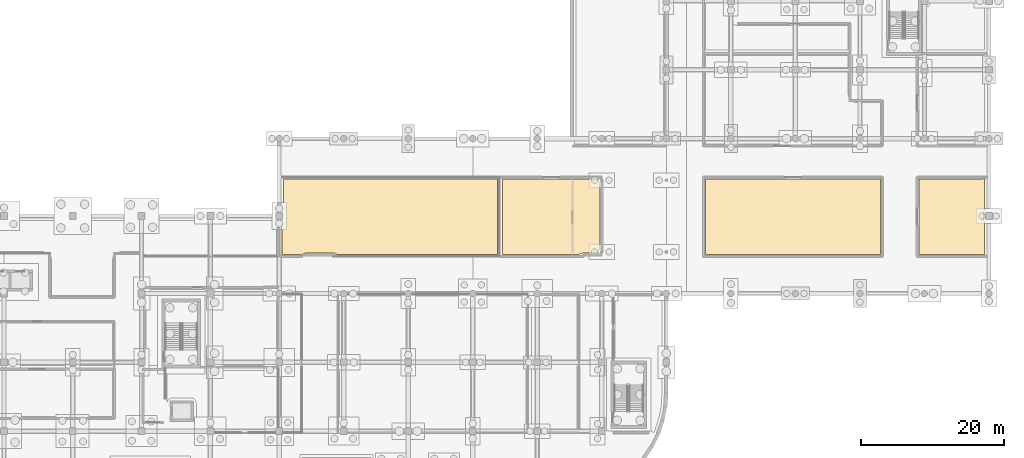
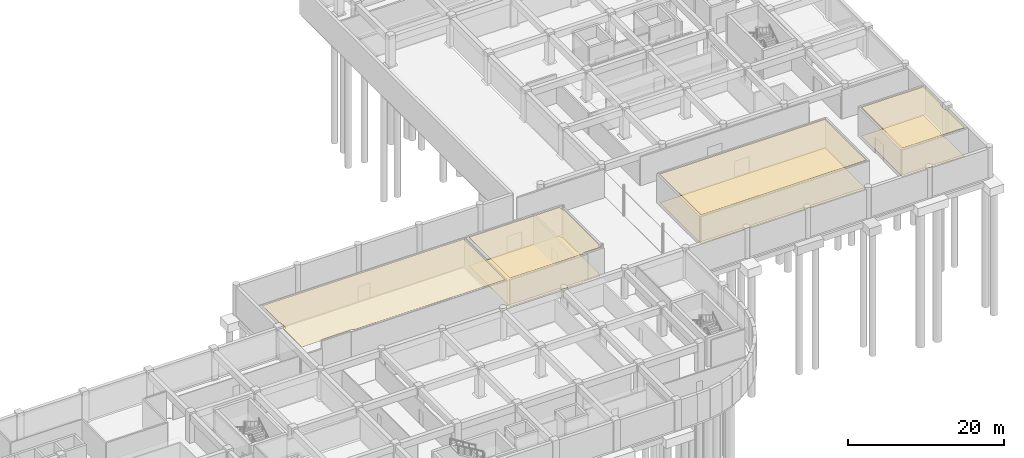
# One storey, part 37 of 47: 7 coverings.
"""IFC4 building model written with IfcOpenShell, lengths in metres."""

import ifcopenshell
import ifcopenshell.guid

model = None  # the IFC model being written
_history = None  # IfcOwnerHistory: only IFC2X3 demands one
_inside = {}  # id of a spatial element -> (the spatial element, [elements in it])
_under = {}  # id of a project, library or spatial element -> (it, [spatial elements below it])
_declared = {}  # id of a project -> (the project, [libraries it declares])
_typed = {}  # id of a type object -> (the type object, [elements of that type])
_made_of = {}  # id of a material, layer set ... -> (it, [elements and type objects made of it])


def new_model(schema):
    """Start an empty IFC model of exactly this schema.

    Asked for "IFC4X3", IfcOpenShell would pick the latest addendum, in which some entities
    have other attributes; the version numbers below select the first issue.
    IFC2X3 requires an IfcOwnerHistory on every rooted entity: one is made here for all.
    """
    global model, _history
    if schema == "IFC4X3":
        model = ifcopenshell.file(schema_version=(4, 3, 0, 0))
    else:
        model = ifcopenshell.file(schema=schema)
    _inside.clear()
    _under.clear()
    _declared.clear()
    _typed.clear()
    _made_of.clear()
    _history = None
    if model.schema == "IFC2X3":
        org = make("IfcOrganization", Name="unknown")
        user = make(
            "IfcPersonAndOrganization",
            ThePerson=make("IfcPerson", FamilyName="unknown"),
            TheOrganization=org,
        )
        app = make(
            "IfcApplication",
            ApplicationDeveloper=org,
            Version="unknown",
            ApplicationFullName="unknown",
            ApplicationIdentifier="unknown",
        )
        _history = make(
            "IfcOwnerHistory",
            OwningUser=user,
            OwningApplication=app,
            ChangeAction="ADDED",
            CreationDate=0,
        )
    return model


def make(cls, **values):
    """One entity of the class cls with the attributes given. An attribute that is None is left unset."""
    return model.create_entity(
        cls, **{name: value for name, value in values.items() if value is not None}
    )


def rooted(cls, **values):
    """An entity with a GlobalId (a new one), such as an element, a storey or a relation."""
    return make(cls, GlobalId=ifcopenshell.guid.new(), OwnerHistory=_history, **values)


def si_unit(unit_type, name, prefix=None):
    """IfcSIUnit, for example si_unit("LENGTHUNIT", "METRE", prefix="MILLI")."""
    return make("IfcSIUnit", UnitType=unit_type, Prefix=prefix, Name=name)


def assignment(units):
    """IfcUnitAssignment: the units of a project."""
    return None if units is None else make("IfcUnitAssignment", Units=units)


def point(xyz):
    """IfcCartesianPoint."""
    return None if xyz is None else make("IfcCartesianPoint", Coordinates=xyz)


def direction(xyz):
    """IfcDirection."""
    return None if xyz is None else make("IfcDirection", DirectionRatios=xyz)


def frame(location, z_axis=None, x_axis=None):
    """IfcAxis2Placement3D, a coordinate frame: its origin and axes. An axis left out is left unset."""
    return make(
        "IfcAxis2Placement3D",
        Location=point(location),
        Axis=direction(z_axis),
        RefDirection=direction(x_axis),
    )


def origin():
    """The frame at (0, 0, 0) with its axes left unset."""
    return frame((0.0, 0.0, 0.0))


def place(relative_to, where):
    """IfcLocalPlacement: puts the frame where relative to a parent placement (None: the world)."""
    return make(
        "IfcLocalPlacement", PlacementRelTo=relative_to, RelativePlacement=where
    )


def context(
    kind, dimensions, precision=None, world=None, true_north=None, identifier=None
):
    """IfcGeometricRepresentationContext, for example the 3D "Model" context."""
    return make(
        "IfcGeometricRepresentationContext",
        ContextIdentifier=identifier,
        ContextType=kind,
        CoordinateSpaceDimension=dimensions,
        Precision=precision,
        WorldCoordinateSystem=world,
        TrueNorth=true_north,
    )


def subcontext(parent, identifier, kind, view, scale=None):
    """IfcGeometricRepresentationSubContext, for example "Body" below "Model"."""
    return make(
        "IfcGeometricRepresentationSubContext",
        ContextIdentifier=identifier,
        ContextType=kind,
        ParentContext=parent,
        TargetScale=scale,
        TargetView=view,
    )


def project(units=None, contexts=None):
    """IfcProject with its units and contexts."""
    return rooted(
        "IfcProject",
        Name="project",
        RepresentationContexts=contexts,
        UnitsInContext=assignment(units),
    )


def spatial(cls, under=None, at=None, **own):
    """A site, building, storey or space (cls), placed at a placement, below another one or the project."""
    s = rooted(cls, ObjectPlacement=at, **own)
    if under is not None:
        _under.setdefault(under.id(), (under, []))[1].append(s)
    return s


def polyline(points):
    """IfcPolyline through the points."""
    return make("IfcPolyline", Points=[point(p) for p in points])


def outline(outer, holes=None, kind="AREA"):
    """IfcArbitraryClosedProfileDef: a profile drawn as a closed curve; with holes, ...WithVoids."""
    if holes is None:
        return make("IfcArbitraryClosedProfileDef", ProfileType=kind, OuterCurve=outer)
    return make(
        "IfcArbitraryProfileDefWithVoids",
        ProfileType=kind,
        OuterCurve=outer,
        InnerCurves=holes,
    )


def extrude(swept, where, along, depth):
    """IfcExtrudedAreaSolid: the profile swept, set in the frame where, extruded along a direction by depth."""
    return make(
        "IfcExtrudedAreaSolid",
        SweptArea=swept,
        Position=where,
        ExtrudedDirection=direction(along),
        Depth=depth,
    )


def shape(context_of_items, identifier, shape_type, items):
    """IfcShapeRepresentation: the items that make up one representation, for example the "Body"."""
    return make(
        "IfcShapeRepresentation",
        ContextOfItems=context_of_items,
        RepresentationIdentifier=identifier,
        RepresentationType=shape_type,
        Items=items,
    )


def material(Name=None, Category=None):
    """IfcMaterial."""
    return make("IfcMaterial", Name=Name, Category=Category)


def layer(
    of_material, thickness, ventilated=None, Name=None, Category=None, Priority=None
):
    """IfcMaterialLayer: one layer of a wall or slab, of a material (None: an air gap)."""
    return make(
        "IfcMaterialLayer",
        Material=of_material,
        LayerThickness=thickness,
        IsVentilated=ventilated,
        Name=Name,
        Category=Category,
        Priority=Priority,
    )


def layer_set(layers, Name=None):
    """IfcMaterialLayerSet."""
    return make("IfcMaterialLayerSet", MaterialLayers=layers, LayerSetName=Name)


def made_of(thing, what):
    """Note that an element or type object is made of a material, layer set ...; save() writes the relation."""
    if what is not None:
        _made_of.setdefault(what.id(), (what, []))[1].append(thing)
    return thing


def type_object(cls, material=None, **own):
    """A type object (cls), such as IfcWallType, which elements share."""
    return made_of(rooted(cls, **own), material)


def element(
    cls,
    number,
    at=None,
    inside=None,
    cuts=None,
    type_object=None,
    material=None,
    context=None,
    identifier="Body",
    shape_type=None,
    held_by="IfcProductDefinitionShape",
    body=None,
    shapes=None,
    **own,
):
    """One element of the class cls, such as IfcWall. Its Tag is "e" and its number.

    at: its placement. inside: the storey or other place that contains it. cuts: it is an
    opening in that element (IfcRelVoidsElement). A single representation is given by context,
    identifier, shape_type and body (its items); several are given by shapes. held_by: the class
    of the entity that holds the representations. save() writes the other relations.
    """
    e = rooted(cls, Tag="e%d" % number, ObjectPlacement=at, **own)
    if body is not None:
        shapes = [shape(context, identifier, shape_type, body)]
    if shapes is not None:
        e.Representation = make(held_by, Representations=shapes)
    if inside is not None:
        _inside.setdefault(inside.id(), (inside, []))[1].append(e)
    if cuts is not None:
        rooted(
            "IfcRelVoidsElement", RelatingBuildingElement=cuts, RelatedOpeningElement=e
        )
    if type_object is not None:
        _typed.setdefault(type_object.id(), (type_object, []))[1].append(e)
    return made_of(e, material)


def aggregate(whole, parts):
    """IfcRelAggregates: a whole, such as a stair, and the parts it consists of."""
    return rooted("IfcRelAggregates", RelatingObject=whole, RelatedObjects=parts)


def save(model, path):
    """Write the relations noted so far, then the file.

    IfcRelAggregates (storeys below a building ...), IfcRelContainedInSpatialStructure (elements
    in a storey), IfcRelDefinesByType, IfcRelAssociatesMaterial and IfcRelDeclares: one each for
    every whole, place, type object, material and project.
    """
    for whole, parts in _under.values():
        aggregate(whole, parts)
    for where, things in _inside.values():
        rooted(
            "IfcRelContainedInSpatialStructure",
            RelatedElements=things,
            RelatingStructure=where,
        )
    for kind, things in _typed.values():
        rooted("IfcRelDefinesByType", RelatedObjects=things, RelatingType=kind)
    for what, things in _made_of.values():
        rooted("IfcRelAssociatesMaterial", RelatedObjects=things, RelatingMaterial=what)
    for by, libraries in _declared.values():
        rooted("IfcRelDeclares", RelatingContext=by, RelatedDefinitions=libraries)
    model.write(path)


model = new_model("IFC4")

# Units and contexts
model_context = context("Model", 3, precision=1e-05, world=origin(), true_north=direction((0.0, 1.0)))
body_context = subcontext(model_context, "Body", "Model", "MODEL_VIEW")
ifc_project = project(units=[si_unit("LENGTHUNIT", "METRE"), si_unit("AREAUNIT", "SQUARE_METRE"), si_unit("VOLUMEUNIT", "CUBIC_METRE"), si_unit("PLANEANGLEUNIT", "RADIAN"), si_unit("MASSUNIT", "GRAM", prefix="KILO")], contexts=[model_context])

# Site, building, storey
site_placement = place(None, origin())
site = spatial("IfcSite", under=ifc_project, at=site_placement, CompositionType="ELEMENT")
building_placement = place(site_placement, origin())
building = spatial("IfcBuilding", under=site, at=building_placement, Name="Cendralis Terraced Arcade", CompositionType="ELEMENT")
storey_placement = place(building_placement, frame((0.0, 0.0, -4.800048828125)))
storey = spatial("IfcBuildingStorey", under=building, at=storey_placement, Name="B1", CompositionType="ELEMENT", Elevation=-4.800048828125)

# Coverings
ifc_material_1 = material(Name="Gypsum plasterboard acoustic partition")
ifc_layer_1 = layer(ifc_material_1, 0.02490234375, Name="COV-CEIL-ACOU-25")
ifc_layer_set_1 = layer_set([ifc_layer_1], Name="Gypsum plasterboard acoustic partition")
covering_type_1 = type_object("IfcCoveringType", Name="COV-CEIL-ACOU-25", PredefinedType="CEILING", material=ifc_layer_set_1)
covering_1_placement = place(storey_placement, frame((0.0, 0.0, 4.47509765625)))
element("IfcCovering", 1, at=covering_1_placement, inside=storey, type_object=covering_type_1, Name="Acoustic Soffit Ceiling B1-010", PredefinedType="CEILING", context=body_context, shape_type="SweptSolid", body=[
    extrude(outline(polyline([(98.3701171875, 43.830078125), (98.3701171875, 54.3701171875), (111.7919921875, 54.3701171875), (111.790283203125, 54.354248046875), (111.790283203125, 54.352294921875), (111.7900390625, 54.340087890625), (111.7900390625, 54.06005859375), (111.790283203125, 54.047607421875), (111.790283203125, 54.0458984375), (111.792724609375, 54.021484375), (111.793212890625, 54.019287109375), (111.7978515625, 53.995361328125), (111.79833984375, 53.993408203125), (111.805419921875, 53.969970703125), (111.80615234375, 53.968017578125), (111.8154296875, 53.945556640625), (111.81640625, 53.943603515625), (111.827880859375, 53.922119140625), (111.828857421875, 53.92041015625), (111.842529296875, 53.89990234375), (111.84375, 53.8984375), (111.859375, 53.87939453125), (111.860595703125, 53.8779296875), (111.8779296875, 53.860595703125), (111.87939453125, 53.859375), (111.8984375, 53.84375), (111.89990234375, 53.842529296875), (111.92041015625, 53.828857421875), (111.922119140625, 53.827880859375), (111.943603515625, 53.81640625), (111.945556640625, 53.8154296875), (111.968017578125, 53.80615234375), (111.969970703125, 53.805419921875), (111.969970703125, 53.805419921875), (111.969970703125, 44.594482421875), (111.969970703125, 44.594482421875), (111.968017578125, 44.593994140625), (111.945556640625, 44.58447265625), (111.943603515625, 44.58349609375), (111.922119140625, 44.572021484375), (111.92041015625, 44.571044921875), (111.89990234375, 44.557373046875), (111.8984375, 44.556396484375), (111.87939453125, 44.540771484375), (111.8779296875, 44.539306640625), (111.860595703125, 44.52197265625), (111.859375, 44.5205078125), (111.84375, 44.501708984375), (111.842529296875, 44.5), (111.828857421875, 44.4794921875), (111.827880859375, 44.47802734375), (111.81640625, 44.456298828125), (111.8154296875, 44.45458984375), (111.80615234375, 44.431884765625), (111.805419921875, 44.429931640625), (111.79833984375, 44.406494140625), (111.7978515625, 44.404541015625), (111.793212890625, 44.380615234375), (111.792724609375, 44.378662109375), (111.790283203125, 44.354248046875), (111.790283203125, 44.352294921875), (111.7900390625, 44.340087890625), (111.7900390625, 44.06005859375), (111.790283203125, 44.047607421875), (111.790283203125, 44.0458984375), (111.7919921875, 44.030029296875), (109.6806640625, 44.030029296875), (109.677490234375, 44.030029296875), (109.6748046875, 44.02978515625), (109.671630859375, 44.02978515625), (109.665771484375, 44.02978515625), (109.662841796875, 44.02978515625), (109.659912109375, 44.029541015625), (109.65673828125, 44.029296875), (109.5966796875, 44.026611328125), (109.590576171875, 44.026123046875), (109.584716796875, 44.025634765625), (109.57861328125, 44.025146484375), (109.567138671875, 44.024169921875), (109.56103515625, 44.0234375), (109.555419921875, 44.022705078125), (109.54931640625, 44.02197265625), (109.48974609375, 44.01318359375), (109.483642578125, 44.01220703125), (109.477783203125, 44.01123046875), (109.471923828125, 44.010009765625), (109.46044921875, 44.0078125), (109.45458984375, 44.006591796875), (109.448974609375, 44.00537109375), (109.443115234375, 44.00390625), (109.384521484375, 43.989501953125), (109.378662109375, 43.98779296875), (109.373046875, 43.986328125), (109.3671875, 43.984619140625), (109.35595703125, 43.981201171875), (109.35009765625, 43.9794921875), (109.344482421875, 43.977783203125), (109.3388671875, 43.975830078125), (109.281982421875, 43.955810546875), (109.2763671875, 43.95361328125), (109.27099609375, 43.951416015625), (109.265380859375, 43.94921875), (109.25439453125, 43.94482421875), (109.248779296875, 43.9423828125), (109.24365234375, 43.940185546875), (109.238037109375, 43.9375), (109.18359375, 43.912109375), (109.177978515625, 43.909423828125), (109.1728515625, 43.906982421875), (109.16748046875, 43.904052734375), (109.156982421875, 43.898681640625), (109.15185546875, 43.895751953125), (109.146728515625, 43.892822265625), (109.141357421875, 43.889892578125), (109.089599609375, 43.859130859375), (109.08447265625, 43.85595703125), (109.079345703125, 43.852783203125), (109.07421875, 43.849609375), (109.064697265625, 43.84326171875), (109.0595703125, 43.83984375), (109.0546875, 43.83642578125), (109.0498046875, 43.8330078125), (109.047119140625, 43.8310546875), (98.3701171875, 43.830078125)])), origin(), (0.0, 0.0, 1.0), 0.02490234375),
])
covering_2_placement = place(storey_placement, frame((0.0, 0.0, 4.47509765625)))
element("IfcCovering", 2, at=covering_2_placement, inside=storey, type_object=covering_type_1, Name="Acoustic Soffit Ceiling B1-016", PredefinedType="CEILING", context=body_context, shape_type="SweptSolid", body=[
    extrude(outline(polyline([(165.56689453125, 43.73583984375), (165.561279296875, 43.73828125), (165.555908203125, 43.74072265625), (165.55029296875, 43.7431640625), (165.539306640625, 43.74755859375), (165.53369140625, 43.75), (165.528076171875, 43.751953125), (165.522216796875, 43.754150390625), (165.465087890625, 43.774658203125), (165.459228515625, 43.776611328125), (165.45361328125, 43.778564453125), (165.44775390625, 43.780517578125), (165.4365234375, 43.78369140625), (165.4306640625, 43.785400390625), (165.425048828125, 43.787109375), (165.4189453125, 43.78857421875), (165.360107421875, 43.803466796875), (165.35400390625, 43.8046875), (165.348388671875, 43.80615234375), (165.34228515625, 43.807373046875), (165.330810546875, 43.809814453125), (165.32470703125, 43.810791015625), (165.31884765625, 43.811767578125), (165.31298828125, 43.812744140625), (165.252685546875, 43.82177734375), (165.24658203125, 43.822509765625), (165.24072265625, 43.8232421875), (165.234619140625, 43.823974609375), (165.222900390625, 43.8251953125), (165.216796875, 43.82568359375), (165.2109375, 43.825927734375), (165.204833984375, 43.826416015625), (165.14404296875, 43.829345703125), (165.14111328125, 43.82958984375), (165.137939453125, 43.82958984375), (165.135009765625, 43.82958984375), (165.129150390625, 43.829833984375), (165.1259765625, 43.829833984375), (165.123046875, 43.830078125), (165.1201171875, 43.830078125), (156.429931640625, 43.830078125), (156.429931640625, 54.3701171875), (165.1201171875, 54.3701171875), (165.123046875, 54.3701171875), (165.1259765625, 54.3701171875), (165.129150390625, 54.3701171875), (165.135009765625, 54.370361328125), (165.137939453125, 54.370361328125), (165.14111328125, 54.37060546875), (165.14404296875, 54.37060546875), (165.204833984375, 54.37353515625), (165.2109375, 54.3740234375), (165.216796875, 54.37451171875), (165.222900390625, 54.375), (165.234619140625, 54.376220703125), (165.24072265625, 54.376708984375), (165.24658203125, 54.37744140625), (165.252685546875, 54.37841796875), (165.31298828125, 54.38720703125), (165.31884765625, 54.38818359375), (165.32470703125, 54.38916015625), (165.330810546875, 54.390380859375), (165.34228515625, 54.392578125), (165.348388671875, 54.393798828125), (165.35400390625, 54.395263671875), (165.360107421875, 54.396484375), (165.4189453125, 54.411376953125), (165.425048828125, 54.412841796875), (165.4306640625, 54.41455078125), (165.4365234375, 54.416259765625), (165.44775390625, 54.419677734375), (165.45361328125, 54.42138671875), (165.459228515625, 54.42333984375), (165.465087890625, 54.42529296875), (165.522216796875, 54.44580078125), (165.528076171875, 54.447998046875), (165.53369140625, 54.4501953125), (165.539306640625, 54.452392578125), (165.55029296875, 54.456787109375), (165.555908203125, 54.459228515625), (165.561279296875, 54.461669921875), (165.56689453125, 54.464111328125), (165.610107421875, 54.484619140625), (165.610107421875, 49.919189453125), (165.608642578125, 49.918701171875), (165.5869140625, 49.906982421875), (165.58544921875, 49.906005859375), (165.56494140625, 49.892333984375), (165.5634765625, 49.891357421875), (165.54443359375, 49.875732421875), (165.54296875, 49.87451171875), (165.525634765625, 49.85693359375), (165.5244140625, 49.855712890625), (165.5087890625, 49.836669921875), (165.507568359375, 49.8349609375), (165.493896484375, 49.814697265625), (165.492919921875, 49.81298828125), (165.4814453125, 49.791259765625), (165.48046875, 49.78955078125), (165.47119140625, 49.766845703125), (165.470458984375, 49.764892578125), (165.46337890625, 49.74169921875), (165.462890625, 49.739501953125), (165.4580078125, 49.715576171875), (165.457763671875, 49.713623046875), (165.455322265625, 49.689208984375), (165.455322265625, 49.687255859375), (165.455078125, 49.675048828125), (165.455078125, 48.72509765625), (165.455322265625, 48.712646484375), (165.455322265625, 48.710693359375), (165.457763671875, 48.686279296875), (165.4580078125, 48.684326171875), (165.462890625, 48.660400390625), (165.46337890625, 48.658447265625), (165.470458984375, 48.635009765625), (165.47119140625, 48.633056640625), (165.48046875, 48.610595703125), (165.4814453125, 48.608642578125), (165.492919921875, 48.5869140625), (165.493896484375, 48.58544921875), (165.507568359375, 48.56494140625), (165.5087890625, 48.5634765625), (165.5244140625, 48.54443359375), (165.525634765625, 48.54296875), (165.54296875, 48.525634765625), (165.54443359375, 48.5244140625), (165.5634765625, 48.5087890625), (165.56494140625, 48.507568359375), (165.58544921875, 48.493896484375), (165.5869140625, 48.492919921875), (165.608642578125, 48.4814453125), (165.610107421875, 48.480712890625), (165.610107421875, 43.71533203125), (165.56689453125, 43.73583984375)])), origin(), (0.0, 0.0, 1.0), 0.02490234375),
])
ifc_material_2 = material(Name="Warm Andean oak timber", Category="wood")
ifc_layer_2 = layer(ifc_material_2, 0.034912109375, Name="COV-CEIL-OAK-35")
ifc_layer_set_2 = layer_set([ifc_layer_2], Name="Warm Andean oak timber")
covering_type_2 = type_object("IfcCoveringType", Name="COV-CEIL-OAK-35", PredefinedType="CEILING", material=ifc_layer_set_2)
covering_3_placement = place(storey_placement, frame((0.0, 0.0, 4.465087890625)))
element("IfcCovering", 3, at=covering_3_placement, inside=storey, type_object=covering_type_2, Name="Acoustic Soffit Ceiling B1-009", PredefinedType="CEILING", context=body_context, shape_type="SweptSolid", body=[
    extrude(outline(polyline([(67.7900390625, 54.399169921875), (67.800048828125, 54.396484375), (67.805908203125, 54.395263671875), (67.811767578125, 54.393798828125), (67.817626953125, 54.392578125), (67.829345703125, 54.390380859375), (67.835205078125, 54.38916015625), (67.841064453125, 54.38818359375), (67.84716796875, 54.38720703125), (67.9072265625, 54.37841796875), (67.913330078125, 54.37744140625), (67.919189453125, 54.376708984375), (67.92529296875, 54.376220703125), (67.93701171875, 54.375), (67.943115234375, 54.37451171875), (67.94921875, 54.3740234375), (67.955078125, 54.37353515625), (68.01611328125, 54.37060546875), (68.01904296875, 54.37060546875), (68.02197265625, 54.370361328125), (68.02490234375, 54.370361328125), (68.031005859375, 54.3701171875), (68.033935546875, 54.3701171875), (68.036865234375, 54.3701171875), (68.0400390625, 54.3701171875), (97.6298828125, 54.3701171875), (97.6298828125, 43.830078125), (75.3544921875, 43.830078125), (75.350830078125, 43.832763671875), (75.345947265625, 43.836181640625), (75.3408203125, 43.839599609375), (75.3310546875, 43.84619140625), (75.325927734375, 43.849365234375), (75.321044921875, 43.8525390625), (75.31591796875, 43.855712890625), (75.263671875, 43.88720703125), (75.25830078125, 43.89013671875), (75.253173828125, 43.89306640625), (75.247802734375, 43.89599609375), (75.2373046875, 43.901611328125), (75.23193359375, 43.904296875), (75.226806640625, 43.906982421875), (75.22119140625, 43.90966796875), (75.166259765625, 43.935791015625), (75.16064453125, 43.938232421875), (75.1552734375, 43.940673828125), (75.149658203125, 43.943115234375), (75.138671875, 43.947509765625), (75.133056640625, 43.949951171875), (75.12744140625, 43.951904296875), (75.12158203125, 43.9541015625), (75.064453125, 43.974609375), (75.05859375, 43.976806640625), (75.052978515625, 43.978515625), (75.047119140625, 43.98046875), (75.035888671875, 43.98388671875), (75.030029296875, 43.985595703125), (75.0244140625, 43.987060546875), (75.018310546875, 43.988525390625), (74.95947265625, 44.00341796875), (74.953369140625, 44.0048828125), (74.94775390625, 44.006103515625), (74.941650390625, 44.00732421875), (74.93017578125, 44.009765625), (74.924072265625, 44.0107421875), (74.918212890625, 44.01171875), (74.912109375, 44.0126953125), (74.85205078125, 44.021728515625), (74.845947265625, 44.0224609375), (74.840087890625, 44.023193359375), (74.833984375, 44.02392578125), (74.822265625, 44.025146484375), (74.816162109375, 44.025634765625), (74.810302734375, 44.02587890625), (74.80419921875, 44.0263671875), (74.743408203125, 44.029296875), (74.740478515625, 44.029541015625), (74.7373046875, 44.029541015625), (74.734375, 44.02978515625), (74.728515625, 44.02978515625), (74.725341796875, 44.02978515625), (74.722412109375, 44.030029296875), (74.719482421875, 44.030029296875), (70.980712890625, 44.030029296875), (70.9775390625, 44.030029296875), (70.974609375, 44.02978515625), (70.9716796875, 44.02978515625), (70.9658203125, 44.02978515625), (70.962890625, 44.02978515625), (70.959716796875, 44.029541015625), (70.956787109375, 44.029296875), (70.896484375, 44.026611328125), (70.890625, 44.026123046875), (70.884765625, 44.025634765625), (70.878662109375, 44.025146484375), (70.8671875, 44.024169921875), (70.861083984375, 44.0234375), (70.855224609375, 44.022705078125), (70.849365234375, 44.02197265625), (70.789794921875, 44.01318359375), (70.78369140625, 44.01220703125), (70.77783203125, 44.01123046875), (70.77197265625, 44.010009765625), (70.760498046875, 44.0078125), (70.754638671875, 44.006591796875), (70.748779296875, 44.00537109375), (70.742919921875, 44.00390625), (70.6845703125, 43.989501953125), (70.6787109375, 43.98779296875), (70.673095703125, 43.986328125), (70.667236328125, 43.984619140625), (70.656005859375, 43.981201171875), (70.650146484375, 43.9794921875), (70.64453125, 43.977783203125), (70.638916015625, 43.975830078125), (70.58203125, 43.955810546875), (70.576416015625, 43.95361328125), (70.571044921875, 43.951416015625), (70.565185546875, 43.94921875), (70.554443359375, 43.94482421875), (70.548828125, 43.9423828125), (70.543701171875, 43.940185546875), (70.5380859375, 43.9375), (70.4833984375, 43.912109375), (70.47802734375, 43.909423828125), (70.472900390625, 43.906982421875), (70.46728515625, 43.904052734375), (70.45703125, 43.898681640625), (70.451904296875, 43.895751953125), (70.44677734375, 43.892822265625), (70.44140625, 43.889892578125), (70.3896484375, 43.859130859375), (70.384521484375, 43.85595703125), (70.37939453125, 43.852783203125), (70.374267578125, 43.849609375), (70.364501953125, 43.84326171875), (70.359619140625, 43.83984375), (70.354736328125, 43.83642578125), (70.349853515625, 43.8330078125), (70.34716796875, 43.830810546875), (67.570068359375, 43.830078125), (67.570068359375, 48.455078125), (67.675048828125, 48.455078125), (67.687255859375, 48.455322265625), (67.689208984375, 48.455322265625), (67.713623046875, 48.457763671875), (67.715576171875, 48.4580078125), (67.739501953125, 48.462890625), (67.74169921875, 48.46337890625), (67.764892578125, 48.470458984375), (67.766845703125, 48.47119140625), (67.78955078125, 48.48046875), (67.791259765625, 48.4814453125), (67.81298828125, 48.492919921875), (67.814697265625, 48.493896484375), (67.8349609375, 48.507568359375), (67.836669921875, 48.5087890625), (67.855712890625, 48.5244140625), (67.85693359375, 48.525634765625), (67.87451171875, 48.54296875), (67.875732421875, 48.54443359375), (67.891357421875, 48.5634765625), (67.892333984375, 48.56494140625), (67.906005859375, 48.58544921875), (67.906982421875, 48.5869140625), (67.918701171875, 48.608642578125), (67.91943359375, 48.610595703125), (67.928955078125, 48.633056640625), (67.929443359375, 48.635009765625), (67.9365234375, 48.658447265625), (67.93701171875, 48.660400390625), (67.94189453125, 48.684326171875), (67.942138671875, 48.686279296875), (67.944580078125, 48.710693359375), (67.944580078125, 48.712646484375), (67.945068359375, 48.72509765625), (67.945068359375, 49.675048828125), (67.944580078125, 49.687255859375), (67.944580078125, 49.689208984375), (67.942138671875, 49.713623046875), (67.94189453125, 49.715576171875), (67.93701171875, 49.739501953125), (67.9365234375, 49.74169921875), (67.929443359375, 49.764892578125), (67.928955078125, 49.766845703125), (67.91943359375, 49.78955078125), (67.918701171875, 49.791259765625), (67.906982421875, 49.81298828125), (67.906005859375, 49.814697265625), (67.892333984375, 49.8349609375), (67.891357421875, 49.836669921875), (67.875732421875, 49.855712890625), (67.87451171875, 49.85693359375), (67.85693359375, 49.87451171875), (67.855712890625, 49.875732421875), (67.836669921875, 49.891357421875), (67.8349609375, 49.892333984375), (67.814697265625, 49.906005859375), (67.81298828125, 49.906982421875), (67.791259765625, 49.918701171875), (67.7900390625, 49.919189453125), (67.7900390625, 54.399169921875)])), origin(), (0.0, 0.0, 1.0), 0.034912109375),
])
covering_4_placement = place(storey_placement, frame((0.0, 0.0, 4.465087890625)))
element("IfcCovering", 4, at=covering_4_placement, inside=storey, type_object=covering_type_2, Name="Acoustic Soffit Ceiling B1-017", PredefinedType="CEILING", context=body_context, shape_type="SweptSolid", body=[
    extrude(outline(polyline([(151.070068359375, 54.3701171875), (151.070068359375, 43.830078125), (126.6298828125, 43.830078125), (126.6298828125, 54.3701171875), (151.070068359375, 54.3701171875)])), origin(), (0.0, 0.0, 1.0), 0.034912109375),
])
ifc_layer_3 = layer(ifc_material_2, 0.02197265625, Name="COV-FLR-OAK-22")
ifc_layer_set_3 = layer_set([ifc_layer_3], Name="Warm Andean oak timber")
covering_type_3 = type_object("IfcCoveringType", Name="COV-FLR-OAK-22", PredefinedType="FLOORING", material=ifc_layer_set_3)
covering_5_placement = place(storey_placement, origin())
element("IfcCovering", 5, at=covering_5_placement, inside=storey, type_object=covering_type_3, Name="Interior Finish Flooring B1-017", PredefinedType="FLOORING", context=body_context, shape_type="SweptSolid", body=[
    extrude(outline(polyline([(151.070068359375, 54.3701171875), (151.070068359375, 43.830078125), (126.6298828125, 43.830078125), (126.6298828125, 54.3701171875), (151.070068359375, 54.3701171875)])), origin(), (0.0, 0.0, 1.0), 0.02197265625),
])
ifc_material_3 = material(Name="Polished Bogota limestone terrazzo flooring", Category="masonry")
ifc_layer_4 = layer(ifc_material_3, 0.030029296875, Name="COV-FLR-TERZ-30")
ifc_layer_set_4 = layer_set([ifc_layer_4], Name="Polished Bogota limestone terrazzo flooring")
covering_type_4 = type_object("IfcCoveringType", Name="COV-FLR-TERZ-30", PredefinedType="FLOORING", material=ifc_layer_set_4)
covering_6_placement = place(storey_placement, origin())
element("IfcCovering", 6, at=covering_6_placement, inside=storey, type_object=covering_type_4, Name="Interior Finish Flooring B1-010", PredefinedType="FLOORING", context=body_context, shape_type="SweptSolid", body=[
    extrude(outline(polyline([(98.3701171875, 43.830078125), (98.3701171875, 54.3701171875), (111.7919921875, 54.3701171875), (111.790283203125, 54.354248046875), (111.790283203125, 54.352294921875), (111.7900390625, 54.340087890625), (111.7900390625, 54.06005859375), (111.790283203125, 54.047607421875), (111.790283203125, 54.0458984375), (111.792724609375, 54.021484375), (111.793212890625, 54.019287109375), (111.7978515625, 53.995361328125), (111.79833984375, 53.993408203125), (111.805419921875, 53.969970703125), (111.80615234375, 53.968017578125), (111.8154296875, 53.945556640625), (111.81640625, 53.943603515625), (111.827880859375, 53.922119140625), (111.828857421875, 53.92041015625), (111.842529296875, 53.89990234375), (111.84375, 53.8984375), (111.859375, 53.87939453125), (111.860595703125, 53.8779296875), (111.8779296875, 53.860595703125), (111.87939453125, 53.859375), (111.8984375, 53.84375), (111.89990234375, 53.842529296875), (111.92041015625, 53.828857421875), (111.922119140625, 53.827880859375), (111.943603515625, 53.81640625), (111.945556640625, 53.8154296875), (111.968017578125, 53.80615234375), (111.969970703125, 53.805419921875), (111.969970703125, 53.805419921875), (111.969970703125, 44.594482421875), (111.969970703125, 44.594482421875), (111.968017578125, 44.593994140625), (111.945556640625, 44.58447265625), (111.943603515625, 44.58349609375), (111.922119140625, 44.572021484375), (111.92041015625, 44.571044921875), (111.89990234375, 44.557373046875), (111.8984375, 44.556396484375), (111.87939453125, 44.540771484375), (111.8779296875, 44.539306640625), (111.860595703125, 44.52197265625), (111.859375, 44.5205078125), (111.84375, 44.501708984375), (111.842529296875, 44.5), (111.828857421875, 44.4794921875), (111.827880859375, 44.47802734375), (111.81640625, 44.456298828125), (111.8154296875, 44.45458984375), (111.80615234375, 44.431884765625), (111.805419921875, 44.429931640625), (111.79833984375, 44.406494140625), (111.7978515625, 44.404541015625), (111.793212890625, 44.380615234375), (111.792724609375, 44.378662109375), (111.790283203125, 44.354248046875), (111.790283203125, 44.352294921875), (111.7900390625, 44.340087890625), (111.7900390625, 44.06005859375), (111.790283203125, 44.047607421875), (111.790283203125, 44.0458984375), (111.7919921875, 44.030029296875), (109.6806640625, 44.030029296875), (109.677490234375, 44.030029296875), (109.6748046875, 44.02978515625), (109.671630859375, 44.02978515625), (109.665771484375, 44.02978515625), (109.662841796875, 44.02978515625), (109.659912109375, 44.029541015625), (109.65673828125, 44.029296875), (109.5966796875, 44.026611328125), (109.590576171875, 44.026123046875), (109.584716796875, 44.025634765625), (109.57861328125, 44.025146484375), (109.567138671875, 44.024169921875), (109.56103515625, 44.0234375), (109.555419921875, 44.022705078125), (109.54931640625, 44.02197265625), (109.48974609375, 44.01318359375), (109.483642578125, 44.01220703125), (109.477783203125, 44.01123046875), (109.471923828125, 44.010009765625), (109.46044921875, 44.0078125), (109.45458984375, 44.006591796875), (109.448974609375, 44.00537109375), (109.443115234375, 44.00390625), (109.384521484375, 43.989501953125), (109.378662109375, 43.98779296875), (109.373046875, 43.986328125), (109.3671875, 43.984619140625), (109.35595703125, 43.981201171875), (109.35009765625, 43.9794921875), (109.344482421875, 43.977783203125), (109.3388671875, 43.975830078125), (109.281982421875, 43.955810546875), (109.2763671875, 43.95361328125), (109.27099609375, 43.951416015625), (109.265380859375, 43.94921875), (109.25439453125, 43.94482421875), (109.248779296875, 43.9423828125), (109.24365234375, 43.940185546875), (109.238037109375, 43.9375), (109.18359375, 43.912109375), (109.177978515625, 43.909423828125), (109.1728515625, 43.906982421875), (109.16748046875, 43.904052734375), (109.156982421875, 43.898681640625), (109.15185546875, 43.895751953125), (109.146728515625, 43.892822265625), (109.141357421875, 43.889892578125), (109.089599609375, 43.859130859375), (109.08447265625, 43.85595703125), (109.079345703125, 43.852783203125), (109.07421875, 43.849609375), (109.064697265625, 43.84326171875), (109.0595703125, 43.83984375), (109.0546875, 43.83642578125), (109.0498046875, 43.8330078125), (109.047119140625, 43.8310546875), (98.3701171875, 43.830078125)])), origin(), (0.0, 0.0, 1.0), 0.030029296875),
])
covering_7_placement = place(storey_placement, origin())
element("IfcCovering", 7, at=covering_7_placement, inside=storey, type_object=covering_type_4, Name="Interior Finish Flooring B1-016", PredefinedType="FLOORING", context=body_context, shape_type="SweptSolid", body=[
    extrude(outline(polyline([(165.56689453125, 43.73583984375), (165.561279296875, 43.73828125), (165.555908203125, 43.74072265625), (165.55029296875, 43.7431640625), (165.539306640625, 43.74755859375), (165.53369140625, 43.75), (165.528076171875, 43.751953125), (165.522216796875, 43.754150390625), (165.465087890625, 43.774658203125), (165.459228515625, 43.776611328125), (165.45361328125, 43.778564453125), (165.44775390625, 43.780517578125), (165.4365234375, 43.78369140625), (165.4306640625, 43.785400390625), (165.425048828125, 43.787109375), (165.4189453125, 43.78857421875), (165.360107421875, 43.803466796875), (165.35400390625, 43.8046875), (165.348388671875, 43.80615234375), (165.34228515625, 43.807373046875), (165.330810546875, 43.809814453125), (165.32470703125, 43.810791015625), (165.31884765625, 43.811767578125), (165.31298828125, 43.812744140625), (165.252685546875, 43.82177734375), (165.24658203125, 43.822509765625), (165.24072265625, 43.8232421875), (165.234619140625, 43.823974609375), (165.222900390625, 43.8251953125), (165.216796875, 43.82568359375), (165.2109375, 43.825927734375), (165.204833984375, 43.826416015625), (165.14404296875, 43.829345703125), (165.14111328125, 43.82958984375), (165.137939453125, 43.82958984375), (165.135009765625, 43.82958984375), (165.129150390625, 43.829833984375), (165.1259765625, 43.829833984375), (165.123046875, 43.830078125), (165.1201171875, 43.830078125), (156.429931640625, 43.830078125), (156.429931640625, 54.3701171875), (165.1201171875, 54.3701171875), (165.123046875, 54.3701171875), (165.1259765625, 54.3701171875), (165.129150390625, 54.3701171875), (165.135009765625, 54.370361328125), (165.137939453125, 54.370361328125), (165.14111328125, 54.37060546875), (165.14404296875, 54.37060546875), (165.204833984375, 54.37353515625), (165.2109375, 54.3740234375), (165.216796875, 54.37451171875), (165.222900390625, 54.375), (165.234619140625, 54.376220703125), (165.24072265625, 54.376708984375), (165.24658203125, 54.37744140625), (165.252685546875, 54.37841796875), (165.31298828125, 54.38720703125), (165.31884765625, 54.38818359375), (165.32470703125, 54.38916015625), (165.330810546875, 54.390380859375), (165.34228515625, 54.392578125), (165.348388671875, 54.393798828125), (165.35400390625, 54.395263671875), (165.360107421875, 54.396484375), (165.4189453125, 54.411376953125), (165.425048828125, 54.412841796875), (165.4306640625, 54.41455078125), (165.4365234375, 54.416259765625), (165.44775390625, 54.419677734375), (165.45361328125, 54.42138671875), (165.459228515625, 54.42333984375), (165.465087890625, 54.42529296875), (165.522216796875, 54.44580078125), (165.528076171875, 54.447998046875), (165.53369140625, 54.4501953125), (165.539306640625, 54.452392578125), (165.55029296875, 54.456787109375), (165.555908203125, 54.459228515625), (165.561279296875, 54.461669921875), (165.56689453125, 54.464111328125), (165.610107421875, 54.484619140625), (165.610107421875, 49.919189453125), (165.608642578125, 49.918701171875), (165.5869140625, 49.906982421875), (165.58544921875, 49.906005859375), (165.56494140625, 49.892333984375), (165.5634765625, 49.891357421875), (165.54443359375, 49.875732421875), (165.54296875, 49.87451171875), (165.525634765625, 49.85693359375), (165.5244140625, 49.855712890625), (165.5087890625, 49.836669921875), (165.507568359375, 49.8349609375), (165.493896484375, 49.814697265625), (165.492919921875, 49.81298828125), (165.4814453125, 49.791259765625), (165.48046875, 49.78955078125), (165.47119140625, 49.766845703125), (165.470458984375, 49.764892578125), (165.46337890625, 49.74169921875), (165.462890625, 49.739501953125), (165.4580078125, 49.715576171875), (165.457763671875, 49.713623046875), (165.455322265625, 49.689208984375), (165.455322265625, 49.687255859375), (165.455078125, 49.675048828125), (165.455078125, 48.72509765625), (165.455322265625, 48.712646484375), (165.455322265625, 48.710693359375), (165.457763671875, 48.686279296875), (165.4580078125, 48.684326171875), (165.462890625, 48.660400390625), (165.46337890625, 48.658447265625), (165.470458984375, 48.635009765625), (165.47119140625, 48.633056640625), (165.48046875, 48.610595703125), (165.4814453125, 48.608642578125), (165.492919921875, 48.5869140625), (165.493896484375, 48.58544921875), (165.507568359375, 48.56494140625), (165.5087890625, 48.5634765625), (165.5244140625, 48.54443359375), (165.525634765625, 48.54296875), (165.54296875, 48.525634765625), (165.54443359375, 48.5244140625), (165.5634765625, 48.5087890625), (165.56494140625, 48.507568359375), (165.58544921875, 48.493896484375), (165.5869140625, 48.492919921875), (165.608642578125, 48.4814453125), (165.610107421875, 48.480712890625), (165.610107421875, 43.71533203125), (165.56689453125, 43.73583984375)])), origin(), (0.0, 0.0, 1.0), 0.030029296875),
])

save(model, "model.ifc")
